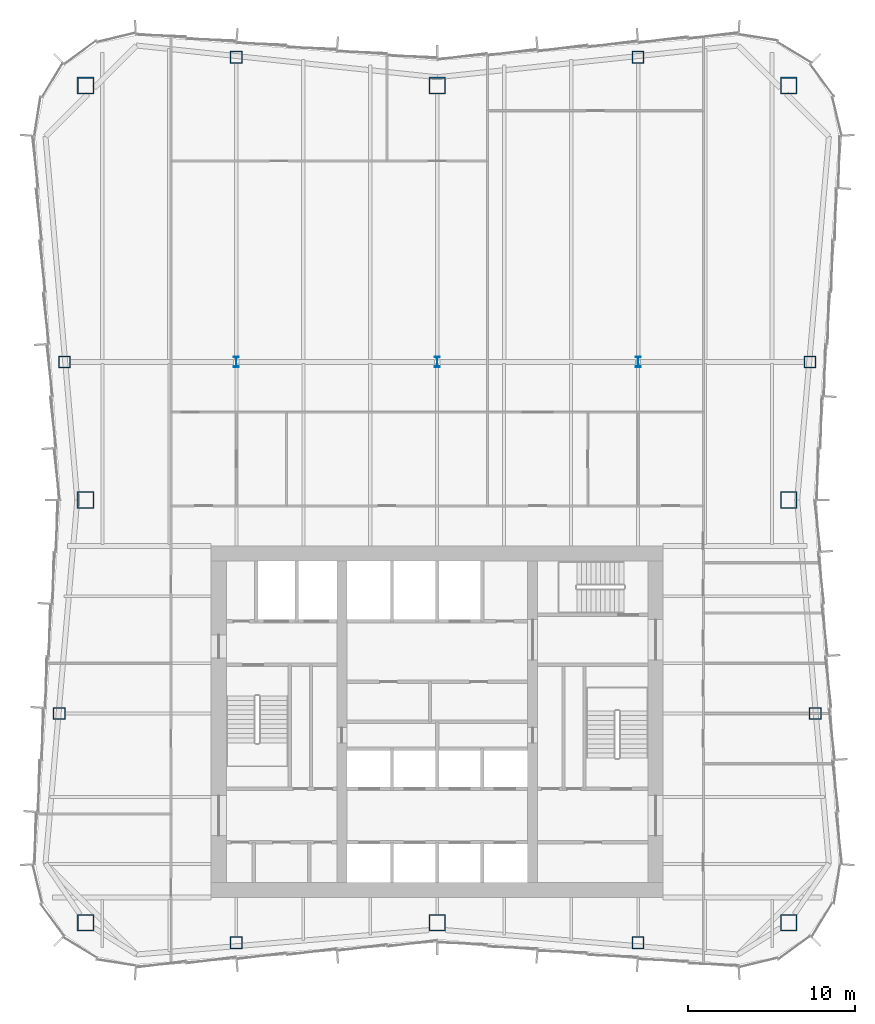
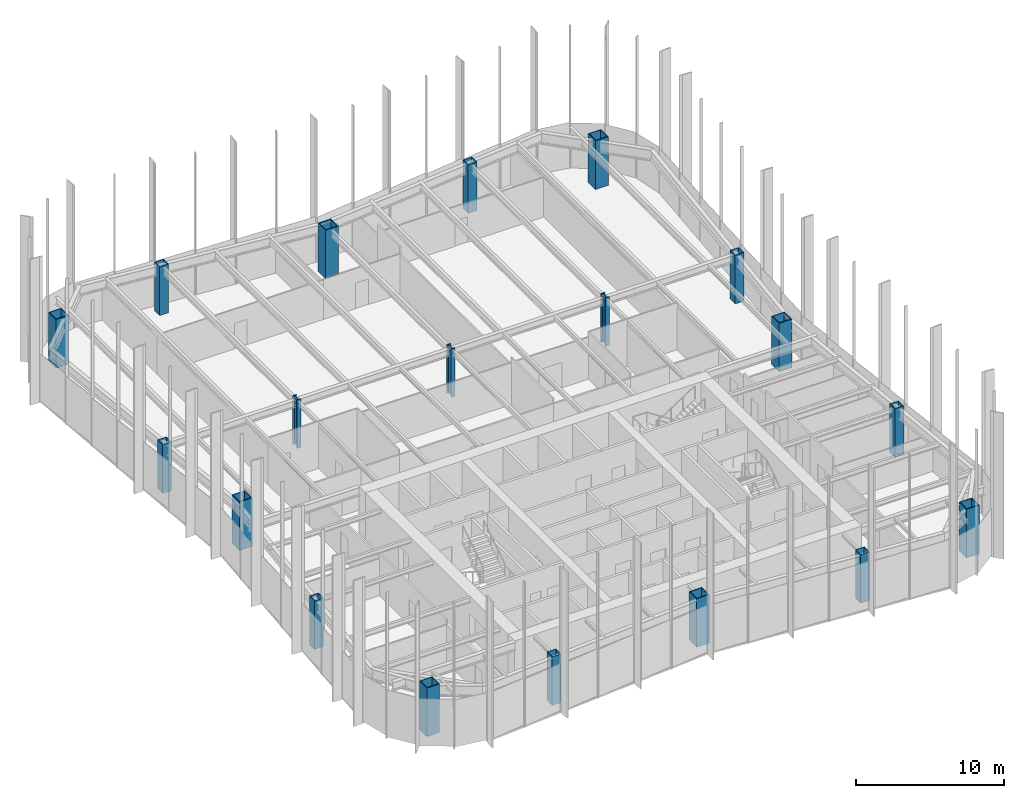
# One storey, part 1 of 13: 19 columns.
"""IFC4 building model written with IfcOpenShell, lengths in metres."""

from ifc_helpers import new_model, si_unit, direction, frame, origin, origin_2d, place, context, subcontext, project, spatial, hollow_rectangle, i_section, extrude, material, material_profile, profile_set, type_object, element, save


model = new_model("IFC4")

# Units and contexts
model_context = context("Model", 3, precision=1e-05, world=origin(), true_north=direction((0.0, 1.0)))
body_context = subcontext(model_context, "Body", "Model", "MODEL_VIEW")
ifc_project = project(units=[si_unit("LENGTHUNIT", "METRE"), si_unit("AREAUNIT", "SQUARE_METRE"), si_unit("VOLUMEUNIT", "CUBIC_METRE"), si_unit("PLANEANGLEUNIT", "RADIAN"), si_unit("MASSUNIT", "GRAM", prefix="KILO")], contexts=[model_context])

# Site, building, storey
site_placement = place(None, origin())
site = spatial("IfcSite", under=ifc_project, at=site_placement, CompositionType="ELEMENT")
building_placement = place(site_placement, origin())
building = spatial("IfcBuilding", under=site, at=building_placement, Name="Verdant Reach Tower", CompositionType="ELEMENT")
storey_placement = place(building_placement, frame((0.0, 0.0, 206.0)))
storey = spatial("IfcBuildingStorey", under=building, at=storey_placement, Name="L47", CompositionType="ELEMENT", Elevation=206.0)

# Columns
ifc_material = material(Name="Steel S460", Category="steel")
ifc_material_profile_1 = material_profile(ifc_material, i_section(OverallWidth=0.304931640625, OverallDepth=0.6201171875, WebThickness=0.02099609375, FlangeThickness=0.0400390625, FilletRadius=0.027099609375, at=origin_2d()), Name="HEM 600")
ifc_profile_set_1 = profile_set([ifc_material_profile_1], Name="Steel S460")
column_type_1 = type_object("IfcColumnType", Name="ST-COL-HEM600", PredefinedType="COLUMN", material=ifc_profile_set_1)
for number, where, z_axis, x_axis, name in (
    (1, (-12.0, 49.5, 0.0), (0.0, 0.0, 1.0), (1.0, 0.0, 0.0), "Interior column 1, L47"),
    (2, (0.0, 49.5, 0.0), (0.0, 0.0, 1.0), (1.0, 0.0, 0.0), "Interior column 2, L47"),
    (3, (12.0, 49.5, 0.0), (0.0, 0.0, 1.0), (1.0, 0.0, 0.0), "Interior column 3, L47"),
):
    element("IfcColumn", number, at=place(storey_placement, frame(where, z_axis=z_axis, x_axis=x_axis)), inside=storey, type_object=column_type_1, Name=name, PredefinedType="COLUMN", context=body_context, shape_type="SweptSolid", body=[
        extrude(i_section(OverallWidth=0.304931640625, OverallDepth=0.6201171875, WebThickness=0.02099609375, FlangeThickness=0.0400390625, FilletRadius=0.027099609375, at=origin_2d()), origin(), (0.0, 0.0, 1.0), 4.0),
    ])
ifc_material_profile_2 = material_profile(ifc_material, hollow_rectangle(XDim=1.0, YDim=1.0, WallThickness=0.06005859375, at=origin_2d()), Name="WB 1000x1000x60")
ifc_profile_set_2 = profile_set([ifc_material_profile_2], Name="Steel S460")
column_type_2 = type_object("IfcColumnType", Name="ST-COL-WB1000x1000x60", PredefinedType="COLUMN", material=ifc_profile_set_2)
for number, where, z_axis, x_axis, name in (
    (4, (-21.0, 66.0, 0.0), (0.0, 0.0, 1.0), (1.0, 0.0, 0.0), "Mega column north-west, L47"),
    (5, (0.0, 66.0, 0.0), (0.0, 0.0, 1.0), (1.0, 0.0, 0.0), "Mega column north, L47"),
    (6, (21.0, 66.0, 0.0), (0.0, 0.0, 1.0), (1.0, 0.0, 0.0), "Mega column north-east, L47"),
    (7, (21.0, 41.25, 0.0), (0.0, 0.0, 1.0), (1.0, 0.0, 0.0), "Mega column east, L47"),
    (8, (21.0, 16.0, 0.0), (0.0, 0.0, 1.0), (1.0, 0.0, 0.0), "Mega column south-east, L47"),
    (9, (0.0, 16.0, 0.0), (0.0, 0.0, 1.0), (1.0, 0.0, 0.0), "Mega column south, L47"),
    (10, (-21.0, 16.0, 0.0), (0.0, 0.0, 1.0), (1.0, 0.0, 0.0), "Mega column south-west, L47"),
    (11, (-21.0, 41.25, 0.0), (0.0, 0.0, 1.0), (1.0, 0.0, 0.0), "Mega column west, L47"),
):
    element("IfcColumn", number, at=place(storey_placement, frame(where, z_axis=z_axis, x_axis=x_axis)), inside=storey, type_object=column_type_2, Name=name, PredefinedType="COLUMN", context=body_context, shape_type="SweptSolid", body=[
        extrude(hollow_rectangle(XDim=1.0, YDim=1.0, WallThickness=0.06005859375, at=origin_2d()), origin(), (0.0, 0.0, 1.0), 4.0),
    ])
ifc_material_profile_3 = material_profile(ifc_material, hollow_rectangle(XDim=0.699951171875, YDim=0.699951171875, WallThickness=0.030029296875, at=origin_2d()), Name="WB 700x700x30")
ifc_profile_set_3 = profile_set([ifc_material_profile_3], Name="Steel S460")
column_type_3 = type_object("IfcColumnType", Name="ST-COL-WB700x700x30", PredefinedType="COLUMN", material=ifc_profile_set_3)
for number, where, z_axis, x_axis, name in (
    (12, (-12.0, 67.699951171875, 0.0), (0.0, 0.0, 1.0), (1.0, 0.0, 0.0), "Perimeter column north 1, L47"),
    (13, (12.0, 67.699951171875, 0.0), (0.0, 0.0, 1.0), (1.0, 0.0, 0.0), "Perimeter column north 2, L47"),
    (14, (-12.0, 14.800048828125, 0.0), (0.0, 0.0, 1.0), (1.0, 0.0, 0.0), "Perimeter column south 1, L47"),
    (15, (12.0, 14.800048828125, 0.0), (0.0, 0.0, 1.0), (1.0, 0.0, 0.0), "Perimeter column south 2, L47"),
    (16, (22.579345703125, 28.5, 0.0), (0.0, 0.0, 1.0), (1.0, 0.0, 0.0), "Perimeter column east 1, L47"),
    (17, (22.26904296875, 49.5, 0.0), (0.0, 0.0, 1.0), (1.0, 0.0, 0.0), "Perimeter column east 2, L47"),
    (18, (-22.579345703125, 28.5, 0.0), (0.0, 0.0, 1.0), (1.0, 0.0, 0.0), "Perimeter column west 1, L47"),
    (19, (-22.26904296875, 49.5, 0.0), (0.0, 0.0, 1.0), (1.0, 0.0, 0.0), "Perimeter column west 2, L47"),
):
    element("IfcColumn", number, at=place(storey_placement, frame(where, z_axis=z_axis, x_axis=x_axis)), inside=storey, type_object=column_type_3, Name=name, PredefinedType="COLUMN", context=body_context, shape_type="SweptSolid", body=[
        extrude(hollow_rectangle(XDim=0.699951171875, YDim=0.699951171875, WallThickness=0.030029296875, at=origin_2d()), origin(), (0.0, 0.0, 1.0), 4.0),
    ])

save(model, "model.ifc")
